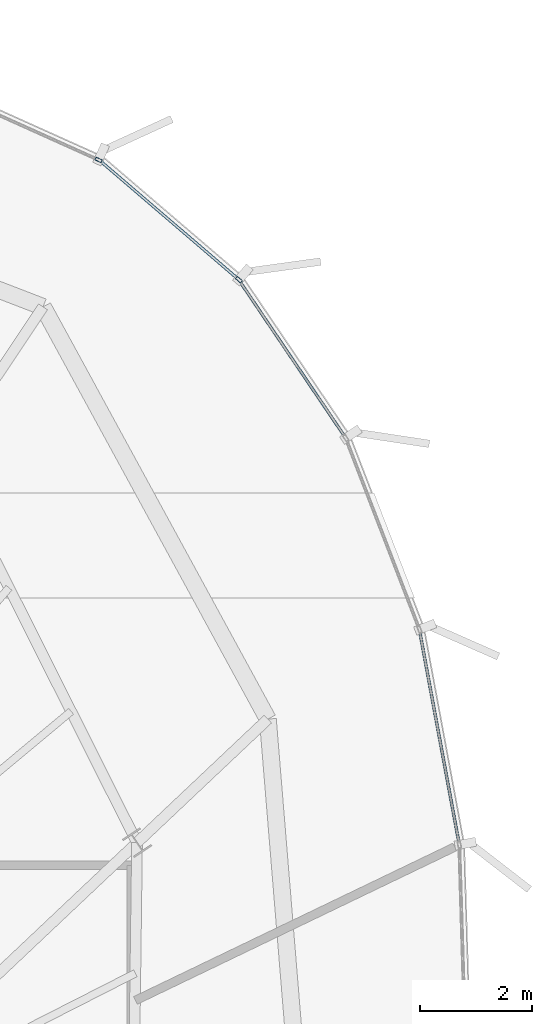
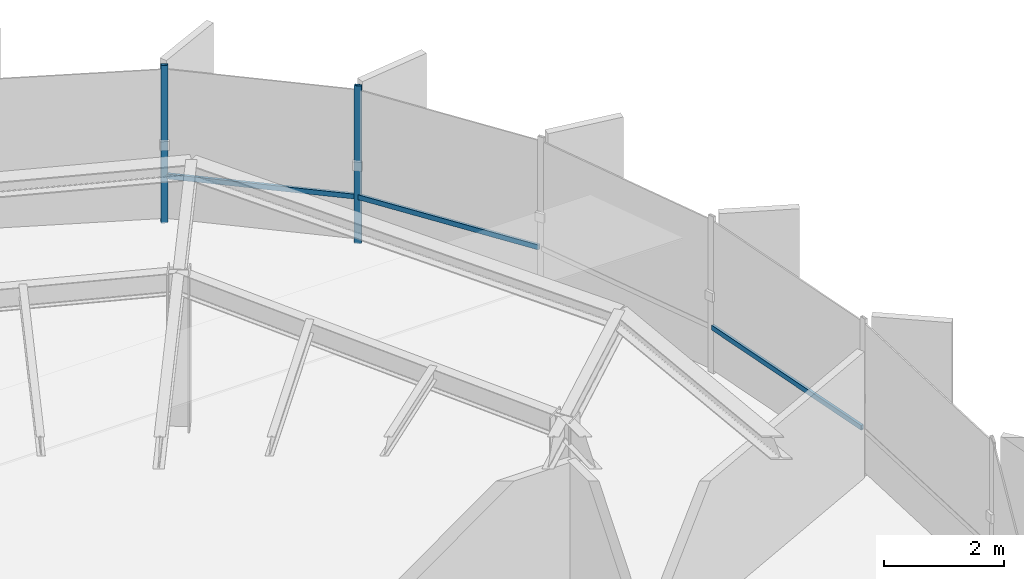
# One storey, part 24 of 33: 5 members, 2 elements without a shape of their own.
"""IFC4 building model written with IfcOpenShell, lengths in metres."""

from ifc_helpers import new_model, si_unit, direction, frame, origin, origin_2d, place, context, subcontext, project, spatial, hollow_rectangle, extrude, source, transform, mapped, material, layer, layer_set, material_profile, profile_set, type_object, element, aggregate, save


model = new_model("IFC4")

# Units and contexts
model_context = context("Model", 3, precision=1e-05, world=origin(), true_north=direction((0.0, 1.0)))
body_context = subcontext(model_context, "Body", "Model", "MODEL_VIEW")
ifc_project = project(units=[si_unit("LENGTHUNIT", "METRE"), si_unit("AREAUNIT", "SQUARE_METRE"), si_unit("VOLUMEUNIT", "CUBIC_METRE"), si_unit("PLANEANGLEUNIT", "RADIAN"), si_unit("MASSUNIT", "GRAM", prefix="KILO"), si_unit("THERMODYNAMICTEMPERATUREUNIT", "KELVIN")], contexts=[model_context])

# Site, building, storey
site_placement = place(None, origin())
site = spatial("IfcSite", under=ifc_project, at=site_placement, CompositionType="ELEMENT")
building_placement = place(site_placement, origin())
building = spatial("IfcBuilding", under=site, at=building_placement, Name="Kethvar Cultural Tower", CompositionType="ELEMENT")
storey_placement = place(building_placement, frame((0.0, 0.0, 266.35009765625)))
storey = spatial("IfcBuildingStorey", under=building, at=storey_placement, Name="L70", CompositionType="ELEMENT", Elevation=266.35009765625)

# Curtain wall, member
ifc_material = material(Name="Aluminium 6063-T6", Category="aluminium")
ifc_layer = layer(ifc_material, 0.179931640625, Name="Aluminium 6063-T6", Category="aluminium")
ifc_layer_set = layer_set([ifc_layer], Name="Aluminium 6063-T6 (180 mm)")
curtain_wall_type = type_object("IfcCurtainWallType", Name="CW-SYS-05-Z56", PredefinedType="NOTDEFINED", material=ifc_layer_set)
curtain_wall_1_placement = place(storey_placement, origin())
curtain_wall_1 = element("IfcCurtainWall", 1, at=curtain_wall_1_placement, inside=storey, type_object=curtain_wall_type, Name="L70 Curtain Wall Run 01", PredefinedType="NOTDEFINED")
ifc_material_profile_1 = material_profile(ifc_material, hollow_rectangle(XDim=0.054931640625, YDim=0.1201171875, WallThickness=0.00390625, at=origin_2d()), Name="Aluminium 6063-T6 — RHS120x55x4")
ifc_profile_set_1 = profile_set([ifc_material_profile_1], Name="Aluminium 6063-T6 — RHS120x55x4")
member_type_1 = type_object("IfcMemberType", Name="CW-SYS-05-Z56-MUL", PredefinedType="MULLION", material=ifc_profile_set_1)
shared_shape_1 = source(origin(), body_context, "Body", "SweptSolid", [
    extrude(hollow_rectangle(XDim=0.054931640625, YDim=0.1201171875, WallThickness=0.00390625, at=origin_2d()), origin(), (0.0, 0.0, 1.0), 3.2099609375),
])
member_1_placement = place(storey_placement, frame((60.6416015625, 49.650146484375, 0.0), z_axis=(0.0, 0.0, 1.0), x_axis=(-0.410209564594, -0.911991290044, 0.0)))
member_1 = element("IfcMember", 2, at=member_1_placement, type_object=member_type_1, Name="CW-L70-R01 Mullion 1", PredefinedType="MULLION", context=body_context, shape_type="MappedRepresentation", body=[
    mapped(shared_shape_1, transform((0.0, 0.0, 0.0), scale=1.0)),
])
aggregate(curtain_wall_1, [member_1])

# Curtain wall, members
curtain_wall_2_placement = place(storey_placement, origin())
curtain_wall_2 = element("IfcCurtainWall", 3, at=curtain_wall_2_placement, inside=storey, type_object=curtain_wall_type, Name="L70 Curtain Wall Run 06", PredefinedType="NOTDEFINED")
member_2_placement = place(storey_placement, frame((63.136962890625, 47.5205078125, 0.0), z_axis=(0.0, 0.0, 1.0), x_axis=(-0.650535653039, -0.759475716613, 0.0)))
member_2 = element("IfcMember", 4, at=member_2_placement, type_object=member_type_1, Name="CW-L70-R06 Mullion 6", PredefinedType="MULLION", context=body_context, shape_type="MappedRepresentation", body=[
    mapped(shared_shape_1, transform((0.0, 0.0, 0.0), scale=1.0)),
])
ifc_material_profile_2 = material_profile(ifc_material, hollow_rectangle(XDim=0.050048828125, YDim=0.10009765625, WallThickness=0.00390625, at=origin_2d()), Name="Aluminium 6063-T6 — RHS100x50x4")
ifc_profile_set_2 = profile_set([ifc_material_profile_2], Name="Aluminium 6063-T6 — RHS100x50x4")
member_type_2 = type_object("IfcMemberType", Name="CW-SYS-05-Z56-TRN", PredefinedType="USERDEFINED", material=ifc_profile_set_2)
shared_shape_2 = source(origin(), body_context, "Body", "SweptSolid", [
    extrude(hollow_rectangle(XDim=0.050048828125, YDim=0.10009765625, WallThickness=0.00390625, at=origin_2d()), origin(), (0.0, 0.0, 1.0), 3.348388671875),
])
member_3_placement = place(storey_placement, frame((65.017578125, 44.734130859375, 0.949951171875), z_axis=(-0.560324079708, 0.8282734607, 0.0), x_axis=(-0.8282734607, -0.560324079708, 0.0)))
member_3 = element("IfcMember", 5, at=member_3_placement, type_object=member_type_2, Name="CW-L70-R06 Transom 5", ObjectType="TRANSOM", PredefinedType="USERDEFINED", context=body_context, shape_type="MappedRepresentation", body=[
    mapped(shared_shape_2, transform((0.0, 0.0, 0.0), scale=1.0)),
])
shared_shape_3 = source(origin(), body_context, "Body", "SweptSolid", [
    extrude(hollow_rectangle(XDim=0.050048828125, YDim=0.10009765625, WallThickness=0.00390625, at=origin_2d()), origin(), (0.0, 0.0, 1.0), 3.834716796875),
])
member_4_placement = place(storey_placement, frame((67.051513671875, 37.506591796875, 0.949951171875), z_axis=(-0.182531528937, 0.98320000048, 0.0), x_axis=(-0.98320000048, -0.182531528937, 0.0)))
member_4 = element("IfcMember", 6, at=member_4_placement, type_object=member_type_2, Name="CW-L70-R06 Transom 3", ObjectType="TRANSOM", PredefinedType="USERDEFINED", context=body_context, shape_type="MappedRepresentation", body=[
    mapped(shared_shape_3, transform((0.0, 0.0, 0.0), scale=1.0)),
])
shared_shape_4 = source(origin(), body_context, "Body", "SweptSolid", [
    extrude(hollow_rectangle(XDim=0.050048828125, YDim=0.10009765625, WallThickness=0.00390625, at=origin_2d()), origin(), (0.0, 0.0, 1.0), 3.1953125),
])
member_5_placement = place(storey_placement, frame((63.10693359375, 47.546142578125, 0.949951171875), z_axis=(-0.759445330659, 0.650571125811, 0.0), x_axis=(-0.650571125811, -0.759445330659, 0.0)))
member_5 = element("IfcMember", 7, at=member_5_placement, type_object=member_type_2, Name="CW-L70-R06 Transom 6", ObjectType="TRANSOM", PredefinedType="USERDEFINED", context=body_context, shape_type="MappedRepresentation", body=[
    mapped(shared_shape_4, transform((0.0, 0.0, 0.0), scale=1.0)),
])
aggregate(curtain_wall_2, [member_2, member_4, member_3, member_5])

save(model, "model.ifc")
